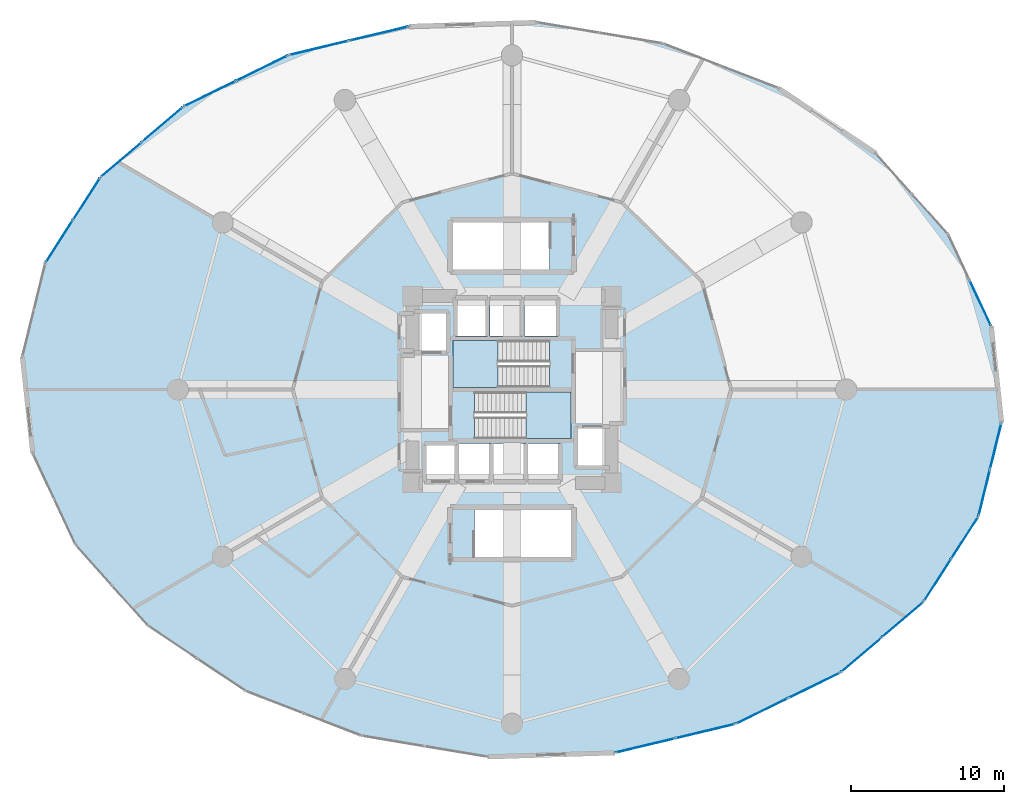
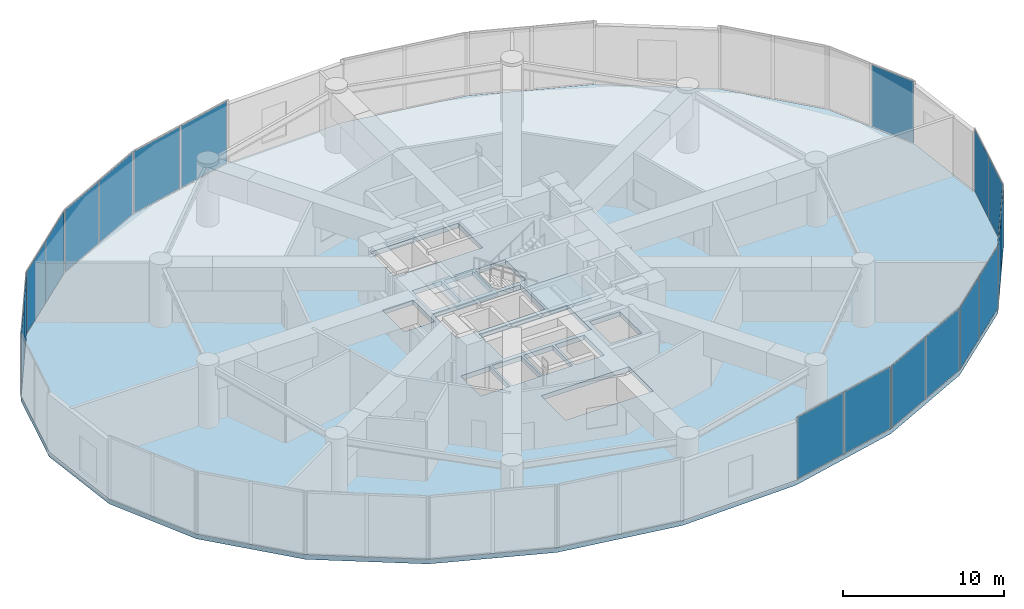
# One storey, part 21 of 27: 19 plates, 3 slabs, 12 elements without a shape of their own.
"""IFC4 building model written with IfcOpenShell, lengths in metres."""

from ifc_helpers import new_model, si_unit, direction, frame, origin, origin_2d, place, context, subcontext, project, spatial, polyline, rectangle, outline, extrude, source, transform, mapped, material, layer, layer_set, type_object, element, aggregate, save


model = new_model("IFC4")

# Units and contexts
model_context = context("Model", 3, precision=1e-05, world=origin(), true_north=direction((0.0, 1.0)))
body_context = subcontext(model_context, "Body", "Model", "MODEL_VIEW")
ifc_project = project(units=[si_unit("LENGTHUNIT", "METRE"), si_unit("AREAUNIT", "SQUARE_METRE"), si_unit("VOLUMEUNIT", "CUBIC_METRE"), si_unit("PLANEANGLEUNIT", "RADIAN"), si_unit("MASSUNIT", "GRAM", prefix="KILO")], contexts=[model_context])

# Site, building, storey
site_placement = place(None, origin())
site = spatial("IfcSite", under=ifc_project, at=site_placement, CompositionType="ELEMENT")
building_placement = place(site_placement, origin())
building = spatial("IfcBuilding", under=site, at=building_placement, Name="Solvirekh Grand Hotel", CompositionType="ELEMENT")
storey_placement = place(building_placement, frame((0.0, 0.0, 23.60009765625)))
storey = spatial("IfcBuildingStorey", under=building, at=storey_placement, Name="L04", CompositionType="ELEMENT", Elevation=23.60009765625)

# Stair, slab
ifc_material_1 = material(Name="Concrete C40/50", Category="concrete")
stair_type = type_object("IfcStairType", Name="Stair_Core_1450", PredefinedType="HALF_TURN_STAIR", material=ifc_material_1)
stair_1_placement = place(storey_placement, origin())
stair_1 = element("IfcStair", 1, at=stair_1_placement, inside=storey, type_object=stair_type, Name="L04 Enclosed exit stair ST-1", PredefinedType="HALF_TURN_STAIR")
ifc_layer_1 = layer(ifc_material_1, 0.199951171875)
ifc_layer_set_1 = layer_set([ifc_layer_1], Name="Concrete C40/50")
slab_type_1 = type_object("IfcSlabType", Name="Landing_Stair_200", PredefinedType="LANDING", material=ifc_layer_set_1)
slab_1_placement = place(storey_placement, frame((0.0, 0.0, 2.199951171875)))
slab_1 = element("IfcSlab", 2, at=slab_1_placement, type_object=slab_type_1, Name="ST-1 landing 1", PredefinedType="LANDING", context=body_context, shape_type="SweptSolid", body=[
    extrude(outline(polyline([(0.909912109375, -3.199951171875), (3.85009765625, -3.199951171875), (3.85009765625, -0.14990234375), (0.909912109375, -0.14990234375), (0.909912109375, -3.199951171875)])), origin(), (0.0, 0.0, 1.0), 0.199951171875),
])
aggregate(stair_1, [slab_1])

stair_2_placement = place(storey_placement, origin())
stair_2 = element("IfcStair", 3, at=stair_2_placement, inside=storey, type_object=stair_type, Name="L04 Enclosed exit stair ST-2", PredefinedType="HALF_TURN_STAIR")
slab_2_placement = place(storey_placement, frame((0.0, 0.0, 2.199951171875)))
slab_2 = element("IfcSlab", 4, at=slab_2_placement, type_object=slab_type_1, Name="ST-2 landing 1", PredefinedType="LANDING", context=body_context, shape_type="SweptSolid", body=[
    extrude(outline(polyline([(-0.909912109375, 3.199951171875), (-3.85009765625, 3.199951171875), (-3.85009765625, 0.14990234375), (-0.909912109375, 0.14990234375), (-0.909912109375, 3.199951171875)])), origin(), (0.0, 0.0, 1.0), 0.199951171875),
])
aggregate(stair_2, [slab_2])

# Slab
ifc_material_2 = material(Name="Concrete C50/60", Category="concrete")
ifc_layer_2 = layer(ifc_material_2, 0.360107421875)
ifc_layer_set_2 = layer_set([ifc_layer_2], Name="Concrete C50/60")
slab_type_2 = type_object("IfcSlabType", Name="Slab_Podium_360", PredefinedType="FLOOR", material=ifc_layer_set_2)
slab_3_placement = place(storey_placement, frame((0.0, 0.0, -0.360107421875)))
element("IfcSlab", 5, at=slab_3_placement, inside=storey, type_object=slab_type_2, Name="L04 structural floor slab", PredefinedType="FLOOR", context=body_context, shape_type="SweptSolid", body=[
    extrude(outline(polyline([(31.927978515625, -2.14306640625), (31.256103515625, 4.1279296875), (28.4541015625, 10.116943359375), (23.712890625, 15.4169921875), (17.35595703125, 19.666015625), (9.81591796875, 22.575927734375), (1.60693359375, 23.946044921875), (-6.7109375, 23.68505859375), (-14.572021484375, 21.80908203125), (-21.43994140625, 18.447998046875), (-26.846923828125, 13.8291015625), (-30.424072265625, 8.26806640625), (-31.927978515625, 2.14306640625), (-31.256103515625, -4.1279296875), (-28.4541015625, -10.116943359375), (-23.712890625, -15.4169921875), (-17.35595703125, -19.666015625), (-9.81591796875, -22.575927734375), (-1.60693359375, -23.946044921875), (6.7109375, -23.68505859375), (14.572021484375, -21.80908203125), (21.43994140625, -18.447998046875), (26.846923828125, -13.8291015625), (30.424072265625, -8.26806640625), (31.927978515625, -2.14306640625)]), holes=[polyline([(-2.444091796875, -0.14990234375), (3.85009765625, -0.14990234375), (3.85009765625, -3.199951171875), (-2.444091796875, -3.199951171875), (-2.444091796875, -0.14990234375)]), polyline([(2.444091796875, 0.14990234375), (-3.85009765625, 0.14990234375), (-3.85009765625, 3.199951171875), (2.444091796875, 3.199951171875), (2.444091796875, 0.14990234375)]), polyline([(-2.444091796875, -7.85009765625), (3.85009765625, -7.85009765625), (3.85009765625, -10.89990234375), (-2.444091796875, -10.89990234375), (-2.444091796875, -7.85009765625)]), polyline([(2.444091796875, 7.85009765625), (-3.85009765625, 7.85009765625), (-3.85009765625, 10.89990234375), (2.444091796875, 10.89990234375), (2.444091796875, 7.85009765625)]), polyline([(-5.699951171875, -3.5), (-3.60009765625, -3.5), (-3.60009765625, -6.0), (-5.699951171875, -6.0), (-5.699951171875, -3.5)]), polyline([(-3.449951171875, -3.5), (-1.35009765625, -3.5), (-1.35009765625, -6.0), (-3.449951171875, -6.0), (-3.449951171875, -3.5)]), polyline([(-1.199951171875, -3.5), (0.89990234375, -3.5), (0.89990234375, -6.0), (-1.199951171875, -6.0), (-1.199951171875, -3.5)]), polyline([(1.050048828125, -3.5), (3.14990234375, -3.5), (3.14990234375, -6.0), (1.050048828125, -6.0), (1.050048828125, -3.5)]), polyline([(-3.699951171875, 6.0), (-1.60009765625, 6.0), (-1.60009765625, 3.5), (-3.699951171875, 3.5), (-3.699951171875, 6.0)]), polyline([(-1.449951171875, 6.0), (0.64990234375, 6.0), (0.64990234375, 3.5), (-1.449951171875, 3.5), (-1.449951171875, 6.0)]), polyline([(0.800048828125, 6.0), (3.0, 6.0), (3.0, 3.5), (0.800048828125, 3.5), (0.800048828125, 6.0)]), polyline([(-6.35009765625, 5.10009765625), (-4.14990234375, 5.10009765625), (-4.14990234375, 2.39990234375), (-6.35009765625, 2.39990234375), (-6.35009765625, 5.10009765625)]), polyline([(4.14990234375, -2.39990234375), (6.35009765625, -2.39990234375), (6.35009765625, -5.10009765625), (4.14990234375, -5.10009765625), (4.14990234375, -2.39990234375)])]), origin(), (0.0, 0.0, 1.0), 0.360107421875),
])

# Curtain wall, plate
ifc_material_3 = material(Name="Anodized Bronze Aluminium 6063-T6", Category="aluminium")
ifc_layer_3 = layer(ifc_material_3, 0.219970703125)
ifc_layer_set_3 = layer_set([ifc_layer_3], Name="Anodized Bronze Aluminium 6063-T6")
curtain_wall_type = type_object("IfcCurtainWallType", Name="CW_Sys1_PodiumBronzeUnitised", PredefinedType="NOTDEFINED", material=ifc_layer_set_3)
curtain_wall_1_placement = place(storey_placement, origin())
curtain_wall_1 = element("IfcCurtainWall", 6, at=curtain_wall_1_placement, inside=storey, type_object=curtain_wall_type, Name="L04 unitised bronze-glass curtain wall CW-L04-C02", PredefinedType="NOTDEFINED")
ifc_material_4 = material(Name="Low-E Tinted Bronze Laminated Glass", Category="aluminium")
ifc_layer_4 = layer(ifc_material_4, 0.0439453125)
ifc_layer_set_4 = layer_set([ifc_layer_4], Name="Low-E Tinted Bronze Laminated Glass")
plate_type = type_object("IfcPlateType", Name="CWPanel_Podium_44", PredefinedType="CURTAIN_PANEL", material=ifc_layer_set_4)
shared_shape_1 = source(origin(), body_context, "Body", "SweptSolid", [
    extrude(rectangle(XDim=3.193603515625, YDim=0.0439453125, at=origin_2d()), origin(), (0.0, 0.0, 1.0), 4.669921875),
])
plate_1_placement = place(storey_placement, frame((30.547607421875, 5.642333984375, 0.06494140625), z_axis=(0.0, 0.0, 1.0), x_axis=(-0.42377116947, 0.905769284049, 0.0)))
plate_1 = element("IfcPlate", 7, at=plate_1_placement, type_object=plate_type, Name="U01 panel 1.1", PredefinedType="CURTAIN_PANEL", context=body_context, shape_type="MappedRepresentation", body=[
    mapped(shared_shape_1, transform((0.0, 0.0, 0.0), x_axis=(1.0, 0.0, 0.0), y_axis=(0.0, 1.0, 0.0), z_axis=(0.0, 0.0, 1.0), scale=1.0)),
])
aggregate(curtain_wall_1, [plate_1])

# Curtain wall, plates
curtain_wall_2_placement = place(storey_placement, origin())
curtain_wall_2 = element("IfcCurtainWall", 8, at=curtain_wall_2_placement, inside=storey, type_object=curtain_wall_type, Name="L04 unitised bronze-glass curtain wall CW-L04-C11", PredefinedType="NOTDEFINED")
plate_2_placement = place(storey_placement, frame((-27.75146484375, 12.423095703125, 0.06494140625), z_axis=(0.0, 0.0, 1.0), x_axis=(-0.540979243044, -0.8410359437, 0.0)))
plate_2 = element("IfcPlate", 9, at=plate_2_placement, type_object=plate_type, Name="U01 panel 1.1", PredefinedType="CURTAIN_PANEL", context=body_context, shape_type="MappedRepresentation", body=[
    mapped(shared_shape_1, transform((0.0, 0.0, 0.0), x_axis=(1.0, 0.0, 0.0), y_axis=(0.0, 1.0, 0.0), z_axis=(0.0, 0.0, 1.0), scale=1.0)),
])
plate_3_placement = place(storey_placement, frame((-29.51953125, 9.674072265625, 0.06494140625), z_axis=(0.0, 0.0, 1.0), x_axis=(-0.540979243044, -0.8410359437, 0.0)))
plate_3 = element("IfcPlate", 10, at=plate_3_placement, type_object=plate_type, Name="U01 panel 2.1", PredefinedType="CURTAIN_PANEL", context=body_context, shape_type="MappedRepresentation", body=[
    mapped(shared_shape_1, transform((0.0, 0.0, 0.0), x_axis=(1.0, 0.0, 0.0), y_axis=(0.0, 1.0, 0.0), z_axis=(0.0, 0.0, 1.0), scale=1.0)),
])
aggregate(curtain_wall_2, [plate_2, plate_3])

curtain_wall_3_placement = place(storey_placement, origin())
curtain_wall_3 = element("IfcCurtainWall", 11, at=curtain_wall_3_placement, inside=storey, type_object=curtain_wall_type, Name="L04 unitised bronze-glass curtain wall CW-L04-C23", PredefinedType="NOTDEFINED")
plate_4_placement = place(storey_placement, frame((27.75146484375, -12.423095703125, 0.06494140625), z_axis=(0.0, 0.0, 1.0), x_axis=(0.540979243044, 0.8410359437, 0.0)))
plate_4 = element("IfcPlate", 12, at=plate_4_placement, type_object=plate_type, Name="U01 panel 1.1", PredefinedType="CURTAIN_PANEL", context=body_context, shape_type="MappedRepresentation", body=[
    mapped(shared_shape_1, transform((0.0, 0.0, 0.0), x_axis=(1.0, 0.0, 0.0), y_axis=(0.0, 1.0, 0.0), z_axis=(0.0, 0.0, 1.0), scale=1.0)),
])
plate_5_placement = place(storey_placement, frame((29.51953125, -9.674072265625, 0.06494140625), z_axis=(0.0, 0.0, 1.0), x_axis=(0.540979243044, 0.8410359437, 0.0)))
plate_5 = element("IfcPlate", 13, at=plate_5_placement, type_object=plate_type, Name="U01 panel 2.1", PredefinedType="CURTAIN_PANEL", context=body_context, shape_type="MappedRepresentation", body=[
    mapped(shared_shape_1, transform((0.0, 0.0, 0.0), x_axis=(1.0, 0.0, 0.0), y_axis=(0.0, 1.0, 0.0), z_axis=(0.0, 0.0, 1.0), scale=1.0)),
])
aggregate(curtain_wall_3, [plate_4, plate_5])

curtain_wall_4_placement = place(storey_placement, origin())
curtain_wall_4 = element("IfcCurtainWall", 14, at=curtain_wall_4_placement, inside=storey, type_object=curtain_wall_type, Name="L04 unitised bronze-glass curtain wall CW-L04-C10", PredefinedType="NOTDEFINED")
shared_shape_2 = source(origin(), body_context, "Body", "SweptSolid", [
    extrude(rectangle(XDim=3.443115234375, YDim=0.0439453125, at=origin_2d()), origin(), (0.0, 0.0, 1.0), 4.669921875),
])
plate_6_placement = place(storey_placement, frame((-22.805908203125, 17.281005859375, 0.06494140625), z_axis=(0.0, 0.0, 1.0), x_axis=(-0.760337507253, -0.649528194203, 0.0)))
plate_6 = element("IfcPlate", 15, at=plate_6_placement, type_object=plate_type, Name="U01 panel 1.1", PredefinedType="CURTAIN_PANEL", context=body_context, shape_type="MappedRepresentation", body=[
    mapped(shared_shape_2, transform((0.0, 0.0, 0.0), x_axis=(1.0, 0.0, 0.0), y_axis=(0.0, 1.0, 0.0), z_axis=(0.0, 0.0, 1.0), scale=1.0)),
])
plate_7_placement = place(storey_placement, frame((-25.48095703125, 14.995849609375, 0.06494140625), z_axis=(0.0, 0.0, 1.0), x_axis=(-0.760337507253, -0.649528194203, 0.0)))
plate_7 = element("IfcPlate", 16, at=plate_7_placement, type_object=plate_type, Name="U01 panel 2.1", PredefinedType="CURTAIN_PANEL", context=body_context, shape_type="MappedRepresentation", body=[
    mapped(shared_shape_2, transform((0.0, 0.0, 0.0), x_axis=(1.0, 0.0, 0.0), y_axis=(0.0, 1.0, 0.0), z_axis=(0.0, 0.0, 1.0), scale=1.0)),
])
aggregate(curtain_wall_4, [plate_6, plate_7])

curtain_wall_5_placement = place(storey_placement, origin())
curtain_wall_5 = element("IfcCurtainWall", 17, at=curtain_wall_5_placement, inside=storey, type_object=curtain_wall_type, Name="L04 unitised bronze-glass curtain wall CW-L04-C22", PredefinedType="NOTDEFINED")
plate_8_placement = place(storey_placement, frame((22.805908203125, -17.281005859375, 0.06494140625), z_axis=(0.0, 0.0, 1.0), x_axis=(0.760337507253, 0.649528194203, 0.0)))
plate_8 = element("IfcPlate", 18, at=plate_8_placement, type_object=plate_type, Name="U01 panel 1.1", PredefinedType="CURTAIN_PANEL", context=body_context, shape_type="MappedRepresentation", body=[
    mapped(shared_shape_2, transform((0.0, 0.0, 0.0), x_axis=(1.0, 0.0, 0.0), y_axis=(0.0, 1.0, 0.0), z_axis=(0.0, 0.0, 1.0), scale=1.0)),
])
plate_9_placement = place(storey_placement, frame((25.48095703125, -14.995849609375, 0.06494140625), z_axis=(0.0, 0.0, 1.0), x_axis=(0.760337507253, 0.649528194203, 0.0)))
plate_9 = element("IfcPlate", 19, at=plate_9_placement, type_object=plate_type, Name="U01 panel 2.1", PredefinedType="CURTAIN_PANEL", context=body_context, shape_type="MappedRepresentation", body=[
    mapped(shared_shape_2, transform((0.0, 0.0, 0.0), x_axis=(1.0, 0.0, 0.0), y_axis=(0.0, 1.0, 0.0), z_axis=(0.0, 0.0, 1.0), scale=1.0)),
])
aggregate(curtain_wall_5, [plate_8, plate_9])

curtain_wall_6_placement = place(storey_placement, origin())
curtain_wall_6 = element("IfcCurtainWall", 20, at=curtain_wall_6_placement, inside=storey, type_object=curtain_wall_type, Name="L04 unitised bronze-glass curtain wall CW-L04-C08", PredefinedType="NOTDEFINED")
shared_shape_3 = source(origin(), body_context, "Body", "SweptSolid", [
    extrude(rectangle(XDim=3.928466796875, YDim=0.0439453125, at=origin_2d()), origin(), (0.0, 0.0, 1.0), 4.669921875),
])
plate_10_placement = place(storey_placement, frame((-8.694580078125, 23.211669921875, 0.06494140625), z_axis=(0.0, 0.0, 1.0), x_axis=(-0.97268526758, -0.232127917823, 0.0)))
plate_10 = element("IfcPlate", 21, at=plate_10_placement, type_object=plate_type, Name="U01 panel 1.1", PredefinedType="CURTAIN_PANEL", context=body_context, shape_type="MappedRepresentation", body=[
    mapped(shared_shape_3, transform((0.0, 0.0, 0.0), x_axis=(1.0, 0.0, 0.0), y_axis=(0.0, 1.0, 0.0), z_axis=(0.0, 0.0, 1.0), scale=1.0)),
])
plate_11_placement = place(storey_placement, frame((-12.588623046875, 22.282470703125, 0.06494140625), z_axis=(0.0, 0.0, 1.0), x_axis=(-0.97268526758, -0.232127917823, 0.0)))
plate_11 = element("IfcPlate", 22, at=plate_11_placement, type_object=plate_type, Name="U01 panel 2.1", PredefinedType="CURTAIN_PANEL", context=body_context, shape_type="MappedRepresentation", body=[
    mapped(shared_shape_3, transform((0.0, 0.0, 0.0), x_axis=(1.0, 0.0, 0.0), y_axis=(0.0, 1.0, 0.0), z_axis=(0.0, 0.0, 1.0), scale=1.0)),
])
aggregate(curtain_wall_6, [plate_10, plate_11])

curtain_wall_7_placement = place(storey_placement, origin())
curtain_wall_7 = element("IfcCurtainWall", 23, at=curtain_wall_7_placement, inside=storey, type_object=curtain_wall_type, Name="L04 unitised bronze-glass curtain wall CW-L04-C20", PredefinedType="NOTDEFINED")
plate_12_placement = place(storey_placement, frame((8.694580078125, -23.211669921875, 0.06494140625), z_axis=(0.0, 0.0, 1.0), x_axis=(0.97268526758, 0.232127917823, 0.0)))
plate_12 = element("IfcPlate", 24, at=plate_12_placement, type_object=plate_type, Name="U01 panel 1.1", PredefinedType="CURTAIN_PANEL", context=body_context, shape_type="MappedRepresentation", body=[
    mapped(shared_shape_3, transform((0.0, 0.0, 0.0), x_axis=(1.0, 0.0, 0.0), y_axis=(0.0, 1.0, 0.0), z_axis=(0.0, 0.0, 1.0), scale=1.0)),
])
plate_13_placement = place(storey_placement, frame((12.588623046875, -22.282470703125, 0.06494140625), z_axis=(0.0, 0.0, 1.0), x_axis=(0.97268526758, 0.232127917823, 0.0)))
plate_13 = element("IfcPlate", 25, at=plate_13_placement, type_object=plate_type, Name="U01 panel 2.1", PredefinedType="CURTAIN_PANEL", context=body_context, shape_type="MappedRepresentation", body=[
    mapped(shared_shape_3, transform((0.0, 0.0, 0.0), x_axis=(1.0, 0.0, 0.0), y_axis=(0.0, 1.0, 0.0), z_axis=(0.0, 0.0, 1.0), scale=1.0)),
])
aggregate(curtain_wall_7, [plate_12, plate_13])

curtain_wall_8_placement = place(storey_placement, origin())
curtain_wall_8 = element("IfcCurtainWall", 26, at=curtain_wall_8_placement, inside=storey, type_object=curtain_wall_type, Name="L04 unitised bronze-glass curtain wall CW-L04-C09", PredefinedType="NOTDEFINED")
shared_shape_4 = source(origin(), body_context, "Body", "SweptSolid", [
    extrude(rectangle(XDim=3.710693359375, YDim=0.0439453125, at=origin_2d()), origin(), (0.0, 0.0, 1.0), 4.669921875),
])
plate_14_placement = place(storey_placement, frame((-16.305908203125, 20.96044921875, 0.06494140625), z_axis=(0.0, 0.0, 1.0), x_axis=(-0.898213426192, -0.439559598928, 0.0)))
plate_14 = element("IfcPlate", 27, at=plate_14_placement, type_object=plate_type, Name="U01 panel 1.1", PredefinedType="CURTAIN_PANEL", context=body_context, shape_type="MappedRepresentation", body=[
    mapped(shared_shape_4, transform((0.0, 0.0, 0.0), x_axis=(1.0, 0.0, 0.0), y_axis=(0.0, 1.0, 0.0), z_axis=(0.0, 0.0, 1.0), scale=1.0)),
])
plate_15_placement = place(storey_placement, frame((-19.7060546875, 19.29638671875, 0.06494140625), z_axis=(0.0, 0.0, 1.0), x_axis=(-0.898213426192, -0.439559598928, 0.0)))
plate_15 = element("IfcPlate", 28, at=plate_15_placement, type_object=plate_type, Name="U01 panel 2.1", PredefinedType="CURTAIN_PANEL", context=body_context, shape_type="MappedRepresentation", body=[
    mapped(shared_shape_4, transform((0.0, 0.0, 0.0), x_axis=(1.0, 0.0, 0.0), y_axis=(0.0, 1.0, 0.0), z_axis=(0.0, 0.0, 1.0), scale=1.0)),
])
aggregate(curtain_wall_8, [plate_14, plate_15])

curtain_wall_9_placement = place(storey_placement, origin())
curtain_wall_9 = element("IfcCurtainWall", 29, at=curtain_wall_9_placement, inside=storey, type_object=curtain_wall_type, Name="L04 unitised bronze-glass curtain wall CW-L04-C21", PredefinedType="NOTDEFINED")
plate_16_placement = place(storey_placement, frame((16.305908203125, -20.96044921875, 0.06494140625), z_axis=(0.0, 0.0, 1.0), x_axis=(0.898213426192, 0.439559598928, 0.0)))
plate_16 = element("IfcPlate", 30, at=plate_16_placement, type_object=plate_type, Name="U01 panel 1.1", PredefinedType="CURTAIN_PANEL", context=body_context, shape_type="MappedRepresentation", body=[
    mapped(shared_shape_4, transform((0.0, 0.0, 0.0), x_axis=(1.0, 0.0, 0.0), y_axis=(0.0, 1.0, 0.0), z_axis=(0.0, 0.0, 1.0), scale=1.0)),
])
plate_17_placement = place(storey_placement, frame((19.7060546875, -19.29638671875, 0.06494140625), z_axis=(0.0, 0.0, 1.0), x_axis=(0.898213426192, 0.439559598928, 0.0)))
plate_17 = element("IfcPlate", 31, at=plate_17_placement, type_object=plate_type, Name="U01 panel 2.1", PredefinedType="CURTAIN_PANEL", context=body_context, shape_type="MappedRepresentation", body=[
    mapped(shared_shape_4, transform((0.0, 0.0, 0.0), x_axis=(1.0, 0.0, 0.0), y_axis=(0.0, 1.0, 0.0), z_axis=(0.0, 0.0, 1.0), scale=1.0)),
])
aggregate(curtain_wall_9, [plate_16, plate_17])

curtain_wall_10_placement = place(storey_placement, origin())
curtain_wall_10 = element("IfcCurtainWall", 32, at=curtain_wall_10_placement, inside=storey, type_object=curtain_wall_type, Name="L04 unitised bronze-glass curtain wall CW-L04-C24", PredefinedType="NOTDEFINED")
shared_shape_5 = source(origin(), body_context, "Body", "SweptSolid", [
    extrude(rectangle(XDim=3.041015625, YDim=0.0439453125, at=origin_2d()), origin(), (0.0, 0.0, 1.0), 4.669921875),
])
plate_18_placement = place(storey_placement, frame((30.804443359375, -6.718505859375, 0.06494140625), z_axis=(0.0, 0.0, 1.0), x_axis=(0.238467019865, 0.971150596168, 0.0)))
plate_18 = element("IfcPlate", 33, at=plate_18_placement, type_object=plate_type, Name="U01 panel 1.1", PredefinedType="CURTAIN_PANEL", context=body_context, shape_type="MappedRepresentation", body=[
    mapped(shared_shape_5, transform((0.0, 0.0, 0.0), x_axis=(1.0, 0.0, 0.0), y_axis=(0.0, 1.0, 0.0), z_axis=(0.0, 0.0, 1.0), scale=1.0)),
])
plate_19_placement = place(storey_placement, frame((31.547607421875, -3.6923828125, 0.06494140625), z_axis=(0.0, 0.0, 1.0), x_axis=(0.238467019865, 0.971150596168, 0.0)))
plate_19 = element("IfcPlate", 34, at=plate_19_placement, type_object=plate_type, Name="U01 panel 2.1", PredefinedType="CURTAIN_PANEL", context=body_context, shape_type="MappedRepresentation", body=[
    mapped(shared_shape_5, transform((0.0, 0.0, 0.0), x_axis=(1.0, 0.0, 0.0), y_axis=(0.0, 1.0, 0.0), z_axis=(0.0, 0.0, 1.0), scale=1.0)),
])
aggregate(curtain_wall_10, [plate_18, plate_19])

save(model, "model.ifc")
